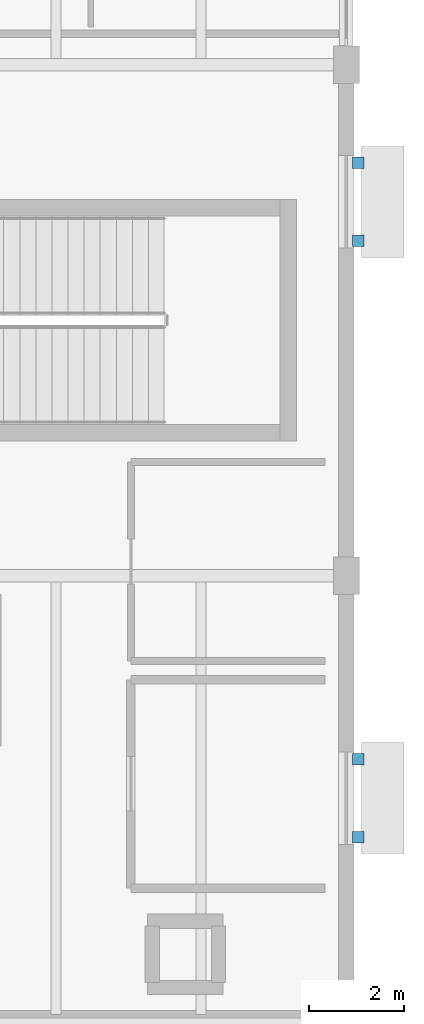
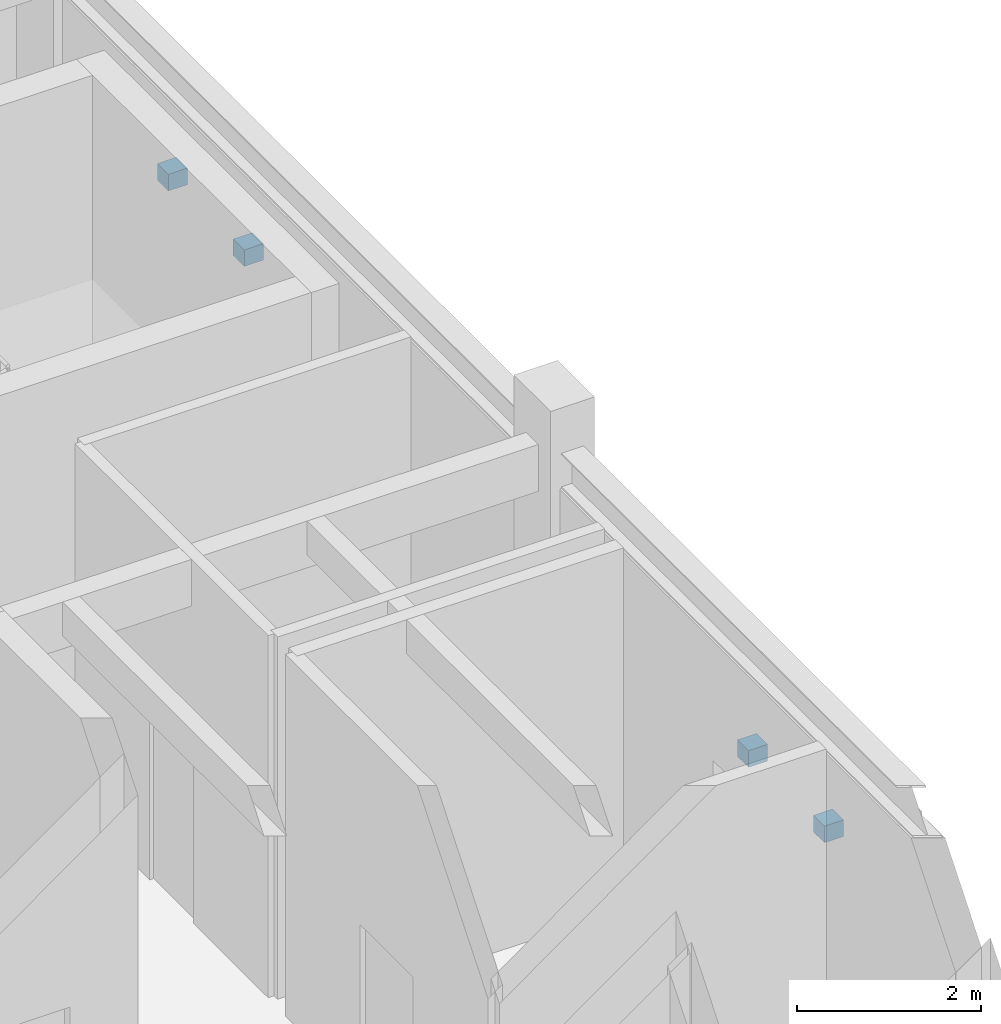
# One storey, part 62 of 68: 4 discrete accessories.
"""IFC4 building model written with IfcOpenShell, lengths in metres."""

from ifc_helpers import new_model, si_unit, direction, frame, origin, origin_2d, place, context, subcontext, project, spatial, rectangle, extrude, material, type_object, element, save


model = new_model("IFC4")

# Units and contexts
model_context = context("Model", 3, precision=1e-05, world=origin(), true_north=direction((0.0, 1.0)))
body_context = subcontext(model_context, "Body", "Model", "MODEL_VIEW")
ifc_project = project(units=[si_unit("LENGTHUNIT", "METRE"), si_unit("AREAUNIT", "SQUARE_METRE"), si_unit("VOLUMEUNIT", "CUBIC_METRE"), si_unit("PLANEANGLEUNIT", "RADIAN"), si_unit("MASSUNIT", "GRAM", prefix="KILO")], contexts=[model_context])

# Site, building, storey
site_placement = place(None, origin())
site = spatial("IfcSite", under=ifc_project, at=site_placement, CompositionType="ELEMENT")
building_placement = place(site_placement, origin())
building = spatial("IfcBuilding", under=site, at=building_placement, Name="Veldera Park Congress Hotel", CompositionType="ELEMENT")
storey_placement = place(building_placement, frame((0.0, 0.0, 10.800048828125)))
storey = spatial("IfcBuildingStorey", under=building, at=storey_placement, Name="L02", CompositionType="ELEMENT", Elevation=10.800048828125)

# Discrete accessories
ifc_material = material(Name="Steel ASTM A992 Gr.50", Category="steel")
discrete_accessory_type = type_object("IfcDiscreteAccessoryType", Name="ACC-BRK160", PredefinedType="BRACKET", material=ifc_material)
for number, where, z_axis, x_axis, name in (
    (1, (84.25, 30.875, 2.7197265625), (0.0, 0.0, 1.0), (0.0, 1.0, 0.0), "Shading Steel Outrigger Bracket 129L"),
    (2, (84.25, 32.52490234375, 2.7197265625), (0.0, 0.0, 1.0), (0.0, 1.0, 0.0), "Shading Steel Outrigger Bracket 129R"),
    (3, (84.25, 43.47607421875, 2.7197265625), (0.0, 0.0, 1.0), (0.0, 1.0, 0.0), "Shading Steel Outrigger Bracket 130L"),
    (4, (84.25, 45.1259765625, 2.7197265625), (0.0, 0.0, 1.0), (0.0, 1.0, 0.0), "Shading Steel Outrigger Bracket 130R"),
):
    element("IfcDiscreteAccessory", number, at=place(storey_placement, frame(where, z_axis=z_axis, x_axis=x_axis)), inside=storey, type_object=discrete_accessory_type, Name=name, PredefinedType="BRACKET", context=body_context, shape_type="SweptSolid", body=[
        extrude(rectangle(XDim=0.239990234375, YDim=0.239990234375, at=origin_2d()), origin(), (0.0, 0.0, 1.0), 0.219970703125),
    ])

save(model, "model.ifc")
